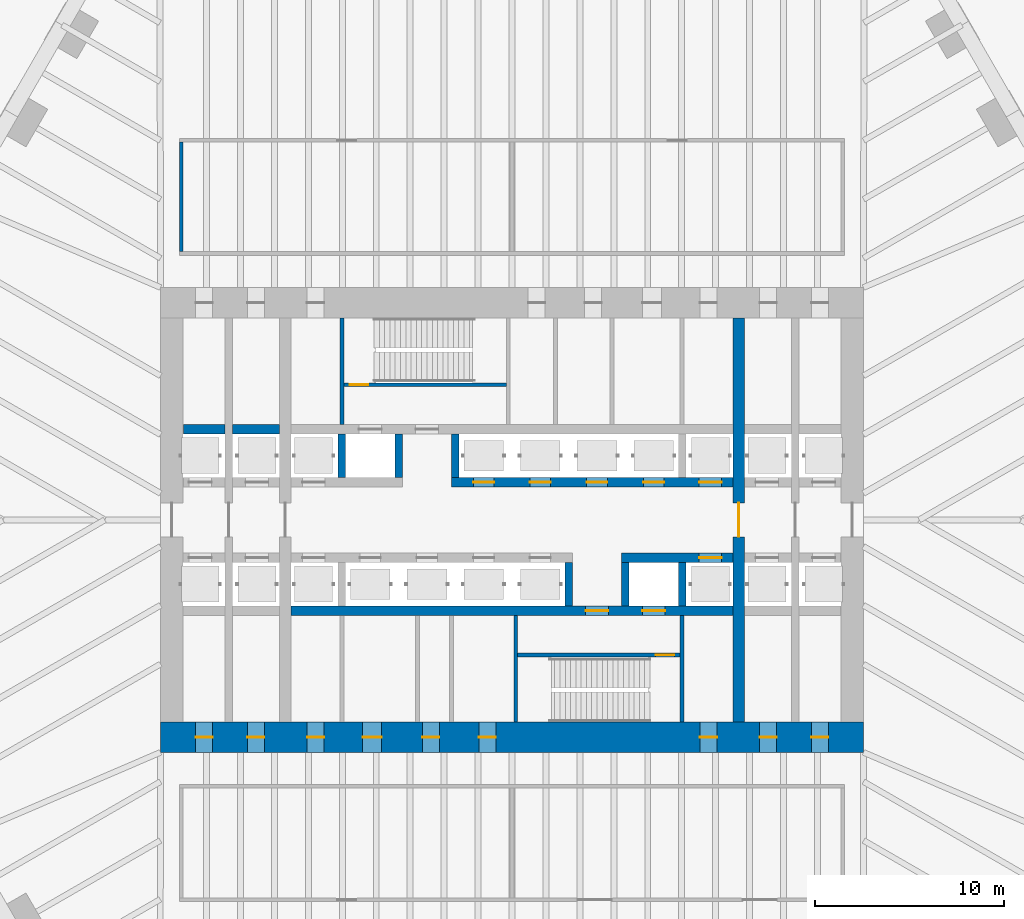
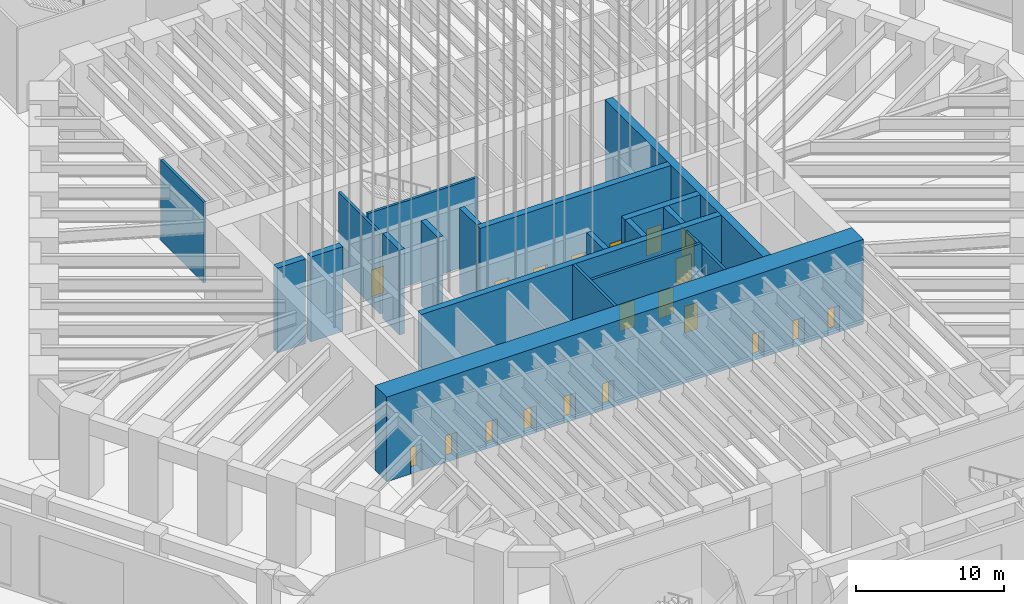
# One storey, part 7 of 23: 20 doors, 19 walls, 20 openings.
"""IFC4 building model written with IfcOpenShell, lengths in metres."""

from ifc_helpers import new_model, si_unit, direction, frame, frame_2d, origin, place, context, subcontext, project, spatial, rectangle, extrude, material, layer, layer_set, type_object, element, fill, save


model = new_model("IFC4")

# Units and contexts
model_context = context("Model", 3, precision=1e-05, world=origin(), true_north=direction((0.0, 1.0)))
body_context = subcontext(model_context, "Body", "Model", "MODEL_VIEW")
ifc_project = project(units=[si_unit("LENGTHUNIT", "METRE"), si_unit("AREAUNIT", "SQUARE_METRE"), si_unit("VOLUMEUNIT", "CUBIC_METRE"), si_unit("PLANEANGLEUNIT", "RADIAN"), si_unit("MASSUNIT", "GRAM", prefix="KILO")], contexts=[model_context])

# Site, building, storey
site_placement = place(None, origin())
site = spatial("IfcSite", under=ifc_project, at=site_placement, CompositionType="ELEMENT")
building_placement = place(site_placement, origin())
building = spatial("IfcBuilding", under=site, at=building_placement, Name="Tarfa Lantern Tower", CompositionType="ELEMENT")
storey_placement = place(building_placement, origin())
storey = spatial("IfcBuildingStorey", under=building, at=storey_placement, Name="L00", CompositionType="ELEMENT", Elevation=0.0)

# Walls
ifc_material_1 = material(Name="Concrete blockwork", Category="masonry")
ifc_layer_1 = layer(ifc_material_1, 0.199951171875)
ifc_layer_set_1 = layer_set([ifc_layer_1], Name="IW1 BLOCKWORK PARTITION 200 EI 120")
wall_type_1 = type_object("IfcWallType", Name="IW1 BLOCKWORK PARTITION 200 EI 120", PredefinedType="PARTITIONING", material=ifc_layer_set_1)
for number, where, z_axis, x_axis, name in (
    (1, (-9.0, 5.050048828125, 0.0), (0.0, 0.0, 1.0), (0.0, 1.0, 0.0), "Core partition"),
    (2, (9.0, -5.050048828125, 0.0), (0.0, 0.0, 1.0), (0.0, -1.0, 0.0), "Core partition"),
):
    element("IfcWall", number, at=place(storey_placement, frame(where, z_axis=z_axis, x_axis=x_axis)), inside=storey, type_object=wall_type_1, Name=name, PredefinedType="PARTITIONING", context=body_context, shape_type="SweptSolid", body=[
        extrude(rectangle(XDim=5.64990234375, YDim=0.199951171875, at=frame_2d((2.824951171875, 0.0))), origin(), (0.0, 0.0, 1.0), 6.64990234375),
    ])
ifc_material_2 = material(Name="Gypsum board on steel studs", Category="steel")
ifc_layer_2 = layer(ifc_material_2, 0.2099609375)
ifc_layer_set_2 = layer_set([ifc_layer_2], Name="IW2 ACOUSTIC PARTITION 200")
wall_type_2 = type_object("IfcWallType", Name="IW2 ACOUSTIC PARTITION 200", PredefinedType="PARTITIONING", material=ifc_layer_set_2)
wall_1_placement = place(storey_placement, frame((-17.5, 14.199951171875, 0.0), z_axis=(0.0, 0.0, 1.0), x_axis=(0.0, 1.0, 0.0)))
element("IfcWall", 3, at=wall_1_placement, inside=storey, type_object=wall_type_2, Name="Partition", PredefinedType="PARTITIONING", context=body_context, shape_type="SweptSolid", body=[
    extrude(rectangle(XDim=5.800048828125, YDim=0.199951171875, at=frame_2d((2.89990234375, 0.0))), origin(), (0.0, 0.0, 1.0), 6.64990234375),
])

# Wall, opening, door
ifc_material_3 = material(Name="Concrete C80/95", Category="concrete")
ifc_layer_3 = layer(ifc_material_3, 0.199951171875)
ifc_layer_set_3 = layer_set([ifc_layer_3], Name="SW12 CORE WALL 200")
wall_type_3 = type_object("IfcWallType", Name="SW12 CORE WALL 200", PredefinedType="SHEAR", material=ifc_layer_set_3)
wall_2_placement = place(storey_placement, frame((-8.89990234375, 7.14990234375, 0.0), z_axis=(0.0, 0.0, 1.0), x_axis=(1.0, 0.0, 0.0)))
wall_2 = element("IfcWall", 4, at=wall_2_placement, inside=storey, type_object=wall_type_3, Name="Core wall stair partition N", PredefinedType="SHEAR", context=body_context, shape_type="SweptSolid", body=[
    extrude(rectangle(XDim=8.599853515625, YDim=0.199951171875, at=frame_2d((4.2998046875, 0.0))), origin(), (0.0, 0.0, 1.0), 7.0),
])
opening_1_placement = place(wall_2_placement, frame((0.300048828125, 0.0, 0.0)))
opening_1 = element("IfcOpeningElement", 5, at=opening_1_placement, cuts=wall_2, Name="Opening D23", PredefinedType="OPENING", context=body_context, shape_type="SweptSolid", body=[
    extrude(rectangle(XDim=1.0, YDim=2.199951171875, at=frame_2d((0.5, 1.10009765625))), frame((0.0, 0.10986328125, 0.0), z_axis=(0.0, -1.0, 0.0), x_axis=(1.0, 0.0, 0.0)), (0.0, 0.0, 1.0), 0.219970703125),
])
ifc_material_4 = material(Name="Steel fire door", Category="steel")
door_type_1 = type_object("IfcDoorType", Name="DF2 STAIR DOOR 1000x2200", OperationType="SINGLE_SWING_LEFT", PredefinedType="DOOR", material=ifc_material_4)
door_1_placement = place(opening_1_placement, origin())
door_1 = element("IfcDoor", 6, at=door_1_placement, inside=storey, type_object=door_type_1, Name="Stair door", OperationType="SINGLE_SWING_RIGHT", OverallHeight=2.199951171875, OverallWidth=1.0, PredefinedType="DOOR", context=body_context, shape_type="SweptSolid", body=[
    extrude(rectangle(XDim=1.0, YDim=2.199951171875, at=frame_2d((0.5, 1.10009765625))), frame((0.0, 0.02490234375, 0.0), z_axis=(0.0, -1.0, 0.0), x_axis=(1.0, 0.0, 0.0)), (0.0, 0.0, 1.0), 0.050048828125),
])
fill(opening_1, door_1)

# Wall
wall_3_placement = place(storey_placement, frame((0.199951171875, -5.050048828125, 0.0), z_axis=(0.0, 0.0, 1.0), x_axis=(0.0, -1.0, 0.0)))
element("IfcWall", 7, at=wall_3_placement, inside=storey, type_object=wall_type_3, Name="Core wall stair shaft S", PredefinedType="SHEAR", context=body_context, shape_type="SweptSolid", body=[
    extrude(rectangle(XDim=5.64990234375, YDim=0.199951171875, at=frame_2d((2.824951171875, 0.0))), origin(), (0.0, 0.0, 1.0), 7.0),
])

# Wall, opening, door
wall_4_placement = place(storey_placement, frame((8.89990234375, -7.14990234375, 0.0), z_axis=(0.0, 0.0, 1.0), x_axis=(-1.0, 0.0, 0.0)))
wall_4 = element("IfcWall", 8, at=wall_4_placement, inside=storey, type_object=wall_type_3, Name="Core wall stair partition S", PredefinedType="SHEAR", context=body_context, shape_type="SweptSolid", body=[
    extrude(rectangle(XDim=8.599853515625, YDim=0.199951171875, at=frame_2d((4.2998046875, 0.0))), origin(), (0.0, 0.0, 1.0), 7.0),
])
opening_2_placement = place(wall_4_placement, frame((0.300048828125, 0.0, 0.0)))
opening_2 = element("IfcOpeningElement", 9, at=opening_2_placement, cuts=wall_4, Name="Opening D24", PredefinedType="OPENING", context=body_context, shape_type="SweptSolid", body=[
    extrude(rectangle(XDim=1.0, YDim=2.199951171875, at=frame_2d((0.5, 1.10009765625))), frame((0.0, 0.10986328125, 0.0), z_axis=(0.0, -1.0, 0.0), x_axis=(1.0, 0.0, 0.0)), (0.0, 0.0, 1.0), 0.219970703125),
])
door_2_placement = place(opening_2_placement, origin())
door_2 = element("IfcDoor", 10, at=door_2_placement, inside=storey, type_object=door_type_1, Name="Stair door", OperationType="SINGLE_SWING_RIGHT", OverallHeight=2.199951171875, OverallWidth=1.0, PredefinedType="DOOR", context=body_context, shape_type="SweptSolid", body=[
    extrude(rectangle(XDim=1.0, YDim=2.199951171875, at=frame_2d((0.5, 1.10009765625))), frame((0.0, 0.02490234375, 0.0), z_axis=(0.0, -1.0, 0.0), x_axis=(1.0, 0.0, 0.0)), (0.0, 0.0, 1.0), 0.050048828125),
])
fill(opening_2, door_2)

# Wall, openings, doors
ifc_layer_4 = layer(ifc_material_3, 0.5)
ifc_layer_set_4 = layer_set([ifc_layer_4], Name="SW5 CORE WALL 500")
wall_type_4 = type_object("IfcWallType", Name="SW5 CORE WALL 500", PredefinedType="SHEAR", material=ifc_layer_set_4)
wall_5_placement = place(storey_placement, frame((-3.199951171875, 2.0, 0.0), z_axis=(0.0, 0.0, 1.0), x_axis=(1.0, 0.0, 0.0)))
wall_5 = element("IfcWall", 11, at=wall_5_placement, inside=storey, type_object=wall_type_4, Name="Core wall lobby east N", PredefinedType="SHEAR", context=body_context, shape_type="SweptSolid", body=[
    extrude(rectangle(XDim=14.89990234375, YDim=0.5, at=frame_2d((7.449951171875, 0.0))), origin(), (0.0, 0.0, 1.0), 7.0),
])
opening_3_placement = place(wall_5_placement, frame((1.14990234375, 0.0, 0.0)))
opening_3 = element("IfcOpeningElement", 12, at=opening_3_placement, cuts=wall_5, Name="Opening LD03", PredefinedType="OPENING", context=body_context, shape_type="SweptSolid", body=[
    extrude(rectangle(XDim=1.10009765625, YDim=2.199951171875, at=frame_2d((0.550048828125, 1.10009765625))), frame((0.0, 0.260009765625, 0.0), z_axis=(0.0, -1.0, 0.0), x_axis=(1.0, 0.0, 0.0)), (0.0, 0.0, 1.0), 0.52001953125),
])
opening_4_placement = place(wall_5_placement, frame((4.14990234375, 0.0, 0.0)))
opening_4 = element("IfcOpeningElement", 13, at=opening_4_placement, cuts=wall_5, Name="Opening LD04", PredefinedType="OPENING", context=body_context, shape_type="SweptSolid", body=[
    extrude(rectangle(XDim=1.10009765625, YDim=2.199951171875, at=frame_2d((0.550048828125, 1.10009765625))), frame((0.0, 0.260009765625, 0.0), z_axis=(0.0, -1.0, 0.0), x_axis=(1.0, 0.0, 0.0)), (0.0, 0.0, 1.0), 0.52001953125),
])
opening_5_placement = place(wall_5_placement, frame((7.14990234375, 0.0, 0.0)))
opening_5 = element("IfcOpeningElement", 14, at=opening_5_placement, cuts=wall_5, Name="Opening LD05", PredefinedType="OPENING", context=body_context, shape_type="SweptSolid", body=[
    extrude(rectangle(XDim=1.10009765625, YDim=2.199951171875, at=frame_2d((0.550048828125, 1.10009765625))), frame((0.0, 0.260009765625, 0.0), z_axis=(0.0, -1.0, 0.0), x_axis=(1.0, 0.0, 0.0)), (0.0, 0.0, 1.0), 0.52001953125),
])
opening_6_placement = place(wall_5_placement, frame((10.14990234375, 0.0, 0.0)))
opening_6 = element("IfcOpeningElement", 15, at=opening_6_placement, cuts=wall_5, Name="Opening LD06", PredefinedType="OPENING", context=body_context, shape_type="SweptSolid", body=[
    extrude(rectangle(XDim=1.10009765625, YDim=2.199951171875, at=frame_2d((0.550048828125, 1.10009765625))), frame((0.0, 0.260009765625, 0.0), z_axis=(0.0, -1.0, 0.0), x_axis=(1.0, 0.0, 0.0)), (0.0, 0.0, 1.0), 0.52001953125),
])
opening_7_placement = place(wall_5_placement, frame((13.10009765625, 0.0, 0.0)))
opening_7 = element("IfcOpeningElement", 16, at=opening_7_placement, cuts=wall_5, Name="Opening LD12", PredefinedType="OPENING", context=body_context, shape_type="SweptSolid", body=[
    extrude(rectangle(XDim=1.199951171875, YDim=2.199951171875, at=frame_2d((0.60009765625, 1.10009765625))), frame((0.0, 0.260009765625, 0.0), z_axis=(0.0, -1.0, 0.0), x_axis=(1.0, 0.0, 0.0)), (0.0, 0.0, 1.0), 0.52001953125),
])
ifc_material_5 = material(Name="Stainless steel lift door", Category="steel")
door_type_2 = type_object("IfcDoorType", Name="LD1 LIFT LANDING DOOR 1200x2200", OperationType="SLIDING_TO_LEFT", PredefinedType="DOOR", material=ifc_material_5)
door_3_placement = place(opening_7_placement, frame((1.199951171875, 0.0, 0.0), z_axis=(0.0, 0.0, 1.0), x_axis=(-1.0, 0.0, 0.0)))
door_3 = element("IfcDoor", 17, at=door_3_placement, inside=storey, type_object=door_type_2, Name="Landing door S10", OperationType="SLIDING_TO_LEFT", OverallHeight=2.199951171875, OverallWidth=1.199951171875, PredefinedType="DOOR", context=body_context, shape_type="SweptSolid", body=[
    extrude(rectangle(XDim=1.199951171875, YDim=2.199951171875, at=frame_2d((0.60009765625, 1.10009765625))), frame((0.0, 0.02490234375, 0.0), z_axis=(0.0, -1.0, 0.0), x_axis=(1.0, 0.0, 0.0)), (0.0, 0.0, 1.0), 0.050048828125),
])
fill(opening_7, door_3)
door_type_3 = type_object("IfcDoorType", Name="LD2 LIFT LANDING DOOR 1100x2200", OperationType="SLIDING_TO_LEFT", PredefinedType="DOOR", material=ifc_material_5)
door_4_placement = place(opening_3_placement, frame((1.10009765625, 0.0, 0.0), z_axis=(0.0, 0.0, 1.0), x_axis=(-1.0, 0.0, 0.0)))
door_4 = element("IfcDoor", 18, at=door_4_placement, inside=storey, type_object=door_type_3, Name="Landing door PA1", OperationType="SLIDING_TO_LEFT", OverallHeight=2.199951171875, OverallWidth=1.10009765625, PredefinedType="DOOR", context=body_context, shape_type="SweptSolid", body=[
    extrude(rectangle(XDim=1.10009765625, YDim=2.199951171875, at=frame_2d((0.550048828125, 1.10009765625))), frame((0.0, 0.02490234375, 0.0), z_axis=(0.0, -1.0, 0.0), x_axis=(1.0, 0.0, 0.0)), (0.0, 0.0, 1.0), 0.050048828125),
])
fill(opening_3, door_4)
door_5_placement = place(opening_4_placement, frame((1.10009765625, 0.0, 0.0), z_axis=(0.0, 0.0, 1.0), x_axis=(-1.0, 0.0, 0.0)))
door_5 = element("IfcDoor", 19, at=door_5_placement, inside=storey, type_object=door_type_3, Name="Landing door PA2", OperationType="SLIDING_TO_LEFT", OverallHeight=2.199951171875, OverallWidth=1.10009765625, PredefinedType="DOOR", context=body_context, shape_type="SweptSolid", body=[
    extrude(rectangle(XDim=1.10009765625, YDim=2.199951171875, at=frame_2d((0.550048828125, 1.10009765625))), frame((0.0, 0.02490234375, 0.0), z_axis=(0.0, -1.0, 0.0), x_axis=(1.0, 0.0, 0.0)), (0.0, 0.0, 1.0), 0.050048828125),
])
fill(opening_4, door_5)
door_6_placement = place(opening_5_placement, frame((1.10009765625, 0.0, 0.0), z_axis=(0.0, 0.0, 1.0), x_axis=(-1.0, 0.0, 0.0)))
door_6 = element("IfcDoor", 20, at=door_6_placement, inside=storey, type_object=door_type_3, Name="Landing door PA3", OperationType="SLIDING_TO_LEFT", OverallHeight=2.199951171875, OverallWidth=1.10009765625, PredefinedType="DOOR", context=body_context, shape_type="SweptSolid", body=[
    extrude(rectangle(XDim=1.10009765625, YDim=2.199951171875, at=frame_2d((0.550048828125, 1.10009765625))), frame((0.0, 0.02490234375, 0.0), z_axis=(0.0, -1.0, 0.0), x_axis=(1.0, 0.0, 0.0)), (0.0, 0.0, 1.0), 0.050048828125),
])
fill(opening_5, door_6)
door_7_placement = place(opening_6_placement, frame((1.10009765625, 0.0, 0.0), z_axis=(0.0, 0.0, 1.0), x_axis=(-1.0, 0.0, 0.0)))
door_7 = element("IfcDoor", 21, at=door_7_placement, inside=storey, type_object=door_type_3, Name="Landing door PA4", OperationType="SLIDING_TO_LEFT", OverallHeight=2.199951171875, OverallWidth=1.10009765625, PredefinedType="DOOR", context=body_context, shape_type="SweptSolid", body=[
    extrude(rectangle(XDim=1.10009765625, YDim=2.199951171875, at=frame_2d((0.550048828125, 1.10009765625))), frame((0.0, 0.02490234375, 0.0), z_axis=(0.0, -1.0, 0.0), x_axis=(1.0, 0.0, 0.0)), (0.0, 0.0, 1.0), 0.050048828125),
])
fill(opening_6, door_7)

# Walls
wall_6_placement = place(storey_placement, frame((-17.39990234375, 4.800048828125, 0.0), z_axis=(0.0, 0.0, 1.0), x_axis=(1.0, 0.0, 0.0)))
element("IfcWall", 22, at=wall_6_placement, inside=storey, type_object=wall_type_4, Name="Core wall rear N", PredefinedType="SHEAR", context=body_context, shape_type="SweptSolid", body=[
    extrude(rectangle(XDim=2.199951171875, YDim=0.5, at=frame_2d((1.10009765625, 0.0))), origin(), (0.0, 0.0, 1.0), 7.0),
])
wall_7_placement = place(storey_placement, frame((-14.800048828125, 4.800048828125, 0.0), z_axis=(0.0, 0.0, 1.0), x_axis=(1.0, 0.0, 0.0)))
element("IfcWall", 23, at=wall_7_placement, inside=storey, type_object=wall_type_4, Name="Core wall rear N", PredefinedType="SHEAR", context=body_context, shape_type="SweptSolid", body=[
    extrude(rectangle(XDim=2.5, YDim=0.5, at=frame_2d((1.25, 0.0))), origin(), (0.0, 0.0, 1.0), 7.0),
])

# Wall, opening, door
wall_8_placement = place(storey_placement, frame((11.699951171875, -2.0, 0.0), z_axis=(0.0, 0.0, 1.0), x_axis=(-1.0, 0.0, 0.0)))
wall_8 = element("IfcWall", 24, at=wall_8_placement, inside=storey, type_object=wall_type_4, Name="Core wall lobby west S", PredefinedType="SHEAR", context=body_context, shape_type="SweptSolid", body=[
    extrude(rectangle(XDim=5.89990234375, YDim=0.5, at=frame_2d((2.949951171875, 0.0))), origin(), (0.0, 0.0, 1.0), 7.0),
])
opening_8_placement = place(wall_8_placement, frame((0.60009765625, 0.0, 0.0)))
opening_8 = element("IfcOpeningElement", 25, at=opening_8_placement, cuts=wall_8, Name="Opening LD13", PredefinedType="OPENING", context=body_context, shape_type="SweptSolid", body=[
    extrude(rectangle(XDim=1.199951171875, YDim=2.199951171875, at=frame_2d((0.60009765625, 1.10009765625))), frame((0.0, 0.260009765625, 0.0), z_axis=(0.0, -1.0, 0.0), x_axis=(1.0, 0.0, 0.0)), (0.0, 0.0, 1.0), 0.52001953125),
])
door_8_placement = place(opening_8_placement, frame((1.199951171875, 0.0, 0.0), z_axis=(0.0, 0.0, 1.0), x_axis=(-1.0, 0.0, 0.0)))
door_8 = element("IfcDoor", 26, at=door_8_placement, inside=storey, type_object=door_type_2, Name="Landing door S11", OperationType="SLIDING_TO_LEFT", OverallHeight=2.199951171875, OverallWidth=1.199951171875, PredefinedType="DOOR", context=body_context, shape_type="SweptSolid", body=[
    extrude(rectangle(XDim=1.199951171875, YDim=2.199951171875, at=frame_2d((0.60009765625, 1.10009765625))), frame((0.0, 0.02490234375, 0.0), z_axis=(0.0, -1.0, 0.0), x_axis=(1.0, 0.0, 0.0)), (0.0, 0.0, 1.0), 0.050048828125),
])
fill(opening_8, door_8)

# Wall, openings, doors
wall_9_placement = place(storey_placement, frame((11.699951171875, -4.800048828125, 0.0), z_axis=(0.0, 0.0, 1.0), x_axis=(-1.0, 0.0, 0.0)))
wall_9 = element("IfcWall", 27, at=wall_9_placement, inside=storey, type_object=wall_type_4, Name="Core wall rear S", PredefinedType="SHEAR", context=body_context, shape_type="SweptSolid", body=[
    extrude(rectangle(XDim=23.39990234375, YDim=0.5, at=frame_2d((11.699951171875, 0.0))), origin(), (0.0, 0.0, 1.0), 7.0),
])
opening_9_placement = place(wall_9_placement, frame((6.60009765625, 0.0, 0.0)))
opening_9 = element("IfcOpeningElement", 28, at=opening_9_placement, cuts=wall_9, Name="Opening D14", PredefinedType="OPENING", context=body_context, shape_type="SweptSolid", body=[
    extrude(rectangle(XDim=1.199951171875, YDim=2.199951171875, at=frame_2d((0.60009765625, 1.10009765625))), frame((0.0, 0.260009765625, 0.0), z_axis=(0.0, -1.0, 0.0), x_axis=(1.0, 0.0, 0.0)), (0.0, 0.0, 1.0), 0.52001953125),
])
opening_10_placement = place(wall_9_placement, frame((3.60009765625, 0.0, 0.0)))
opening_10 = element("IfcOpeningElement", 29, at=opening_10_placement, cuts=wall_9, Name="Opening LD02", PredefinedType="OPENING", context=body_context, shape_type="SweptSolid", body=[
    extrude(rectangle(XDim=1.199951171875, YDim=2.199951171875, at=frame_2d((0.60009765625, 1.10009765625))), frame((0.0, 0.260009765625, 0.0), z_axis=(0.0, -1.0, 0.0), x_axis=(1.0, 0.0, 0.0)), (0.0, 0.0, 1.0), 0.52001953125),
])
door_type_4 = type_object("IfcDoorType", Name="DF1 FIREFIGHTING LOBBY DOOR 1200x2200", OperationType="SINGLE_SWING_LEFT", PredefinedType="DOOR", material=ifc_material_4)
door_9_placement = place(opening_9_placement, origin())
door_9 = element("IfcDoor", 30, at=door_9_placement, inside=storey, type_object=door_type_4, Name="Firefighting lobby door", OperationType="SINGLE_SWING_LEFT", OverallHeight=2.199951171875, OverallWidth=1.199951171875, PredefinedType="DOOR", context=body_context, shape_type="SweptSolid", body=[
    extrude(rectangle(XDim=1.199951171875, YDim=2.199951171875, at=frame_2d((0.60009765625, 1.10009765625))), frame((0.0, 0.02490234375, 0.0), z_axis=(0.0, -1.0, 0.0), x_axis=(1.0, 0.0, 0.0)), (0.0, 0.0, 1.0), 0.050048828125),
])
fill(opening_9, door_9)
door_10_placement = place(opening_10_placement, origin())
door_10 = element("IfcDoor", 31, at=door_10_placement, inside=storey, type_object=door_type_2, Name="Landing door FL2", OperationType="SLIDING_TO_LEFT", OverallHeight=2.199951171875, OverallWidth=1.199951171875, PredefinedType="DOOR", context=body_context, shape_type="SweptSolid", body=[
    extrude(rectangle(XDim=1.199951171875, YDim=2.199951171875, at=frame_2d((0.60009765625, 1.10009765625))), frame((0.0, 0.02490234375, 0.0), z_axis=(0.0, -1.0, 0.0), x_axis=(1.0, 0.0, 0.0)), (0.0, 0.0, 1.0), 0.050048828125),
])
fill(opening_10, door_10)

# Walls
ifc_layer_5 = layer(ifc_material_3, 0.39990234375)
ifc_layer_set_5 = layer_set([ifc_layer_5], Name="SW6 CORE WALL 400")
wall_type_5 = type_object("IfcWallType", Name="SW6 CORE WALL 400", PredefinedType="SHEAR", material=ifc_layer_set_5)
for number, where, z_axis, x_axis, name in (
    (32, (-9.0, 2.25, 0.0), (0.0, 0.0, 1.0), (0.0, 1.0, 0.0), "Core wall divider N"),
    (33, (-6.0, 2.25, 0.0), (0.0, 0.0, 1.0), (0.0, 1.0, 0.0), "Core wall divider N"),
    (34, (-3.0, 2.25, 0.0), (0.0, 0.0, 1.0), (0.0, 1.0, 0.0), "Core wall divider N"),
    (35, (9.0, -2.25, 0.0), (0.0, 0.0, 1.0), (0.0, -1.0, 0.0), "Core wall divider S"),
    (36, (6.0, -2.25, 0.0), (0.0, 0.0, 1.0), (0.0, -1.0, 0.0), "Core wall divider S"),
    (37, (3.0, -2.25, 0.0), (0.0, 0.0, 1.0), (0.0, -1.0, 0.0), "Core wall divider S"),
):
    element("IfcWall", number, at=place(storey_placement, frame(where, z_axis=z_axis, x_axis=x_axis)), inside=storey, type_object=wall_type_5, Name=name, PredefinedType="SHEAR", context=body_context, shape_type="SweptSolid", body=[
        extrude(rectangle(XDim=2.300048828125, YDim=0.39990234375, at=frame_2d((1.14990234375, 0.0))), origin(), (0.0, 0.0, 1.0), 7.0),
    ])

# Wall, openings, doors
ifc_layer_6 = layer(ifc_material_3, 1.60009765625)
ifc_layer_set_6 = layer_set([ifc_layer_6], Name="SW7 CORE WALL 1600")
wall_type_6 = type_object("IfcWallType", Name="SW7 CORE WALL 1600", PredefinedType="SHEAR", material=ifc_layer_set_6)
wall_10_placement = place(storey_placement, frame((18.60009765625, -11.5, 0.0), z_axis=(0.0, 0.0, 1.0), x_axis=(-1.0, 0.0, 0.0)))
wall_10 = element("IfcWall", 38, at=wall_10_placement, inside=storey, type_object=wall_type_6, Name="Core wall S", PredefinedType="SHEAR", context=body_context, shape_type="SweptSolid", body=[
    extrude(rectangle(XDim=37.2001953125, YDim=1.60009765625, at=frame_2d((18.60009765625, 0.0))), origin(), (0.0, 0.0, 1.0), 7.0),
])
opening_11_placement = place(wall_10_placement, frame((19.449951171875, 0.0, 0.0)))
opening_11 = element("IfcOpeningElement", 39, at=opening_11_placement, cuts=wall_10, Name="Opening D18", PredefinedType="OPENING", context=body_context, shape_type="SweptSolid", body=[
    extrude(rectangle(XDim=0.89990234375, YDim=2.199951171875, at=frame_2d((0.449951171875, 1.10009765625))), frame((0.0, 0.81005859375, 0.0), z_axis=(0.0, -1.0, 0.0), x_axis=(1.0, 0.0, 0.0)), (0.0, 0.0, 1.0), 1.6201171875),
])
opening_12_placement = place(wall_10_placement, frame((22.449951171875, 0.0, 0.0)))
opening_12 = element("IfcOpeningElement", 40, at=opening_12_placement, cuts=wall_10, Name="Opening D20", PredefinedType="OPENING", context=body_context, shape_type="SweptSolid", body=[
    extrude(rectangle(XDim=0.89990234375, YDim=2.199951171875, at=frame_2d((0.449951171875, 1.10009765625))), frame((0.0, 0.81005859375, 0.0), z_axis=(0.0, -1.0, 0.0), x_axis=(1.0, 0.0, 0.0)), (0.0, 0.0, 1.0), 1.6201171875),
])
opening_13_placement = place(wall_10_placement, frame((25.5, 0.0, 0.0)))
opening_13 = element("IfcOpeningElement", 41, at=opening_13_placement, cuts=wall_10, Name="Opening D22", PredefinedType="OPENING", context=body_context, shape_type="SweptSolid", body=[
    extrude(rectangle(XDim=1.0, YDim=2.199951171875, at=frame_2d((0.5, 1.10009765625))), frame((0.0, 0.81005859375, 0.0), z_axis=(0.0, -1.0, 0.0), x_axis=(1.0, 0.0, 0.0)), (0.0, 0.0, 1.0), 1.6201171875),
])
opening_14_placement = place(wall_10_placement, frame((1.85009765625, 0.0, 0.0)))
opening_14 = element("IfcOpeningElement", 42, at=opening_14_placement, cuts=wall_10, Name="Opening D12", PredefinedType="OPENING", context=body_context, shape_type="SweptSolid", body=[
    extrude(rectangle(XDim=0.89990234375, YDim=2.199951171875, at=frame_2d((0.449951171875, 1.10009765625))), frame((0.0, 0.81005859375, 0.0), z_axis=(0.0, -1.0, 0.0), x_axis=(1.0, 0.0, 0.0)), (0.0, 0.0, 1.0), 1.6201171875),
])
opening_15_placement = place(wall_10_placement, frame((4.60009765625, 0.0, 0.0)))
opening_15 = element("IfcOpeningElement", 43, at=opening_15_placement, cuts=wall_10, Name="Opening D08", PredefinedType="OPENING", context=body_context, shape_type="SweptSolid", body=[
    extrude(rectangle(XDim=0.89990234375, YDim=2.199951171875, at=frame_2d((0.449951171875, 1.10009765625))), frame((0.0, 0.81005859375, 0.0), z_axis=(0.0, -1.0, 0.0), x_axis=(1.0, 0.0, 0.0)), (0.0, 0.0, 1.0), 1.6201171875),
])
opening_16_placement = place(wall_10_placement, frame((7.75, 0.0, 0.0)))
opening_16 = element("IfcOpeningElement", 44, at=opening_16_placement, cuts=wall_10, Name="Opening D10", PredefinedType="OPENING", context=body_context, shape_type="SweptSolid", body=[
    extrude(rectangle(XDim=0.89990234375, YDim=2.199951171875, at=frame_2d((0.449951171875, 1.10009765625))), frame((0.0, 0.81005859375, 0.0), z_axis=(0.0, -1.0, 0.0), x_axis=(1.0, 0.0, 0.0)), (0.0, 0.0, 1.0), 1.6201171875),
])
opening_17_placement = place(wall_10_placement, frame((28.550048828125, 0.0, 0.0)))
opening_17 = element("IfcOpeningElement", 45, at=opening_17_placement, cuts=wall_10, Name="Opening D06", PredefinedType="OPENING", context=body_context, shape_type="SweptSolid", body=[
    extrude(rectangle(XDim=0.89990234375, YDim=2.199951171875, at=frame_2d((0.449951171875, 1.10009765625))), frame((0.0, 0.81005859375, 0.0), z_axis=(0.0, -1.0, 0.0), x_axis=(1.0, 0.0, 0.0)), (0.0, 0.0, 1.0), 1.6201171875),
])
opening_18_placement = place(wall_10_placement, frame((31.699951171875, 0.0, 0.0)))
opening_18 = element("IfcOpeningElement", 46, at=opening_18_placement, cuts=wall_10, Name="Opening D02", PredefinedType="OPENING", context=body_context, shape_type="SweptSolid", body=[
    extrude(rectangle(XDim=0.89990234375, YDim=2.199951171875, at=frame_2d((0.449951171875, 1.10009765625))), frame((0.0, 0.81005859375, 0.0), z_axis=(0.0, -1.0, 0.0), x_axis=(1.0, 0.0, 0.0)), (0.0, 0.0, 1.0), 1.6201171875),
])
opening_19_placement = place(wall_10_placement, frame((34.449951171875, 0.0, 0.0)))
opening_19 = element("IfcOpeningElement", 47, at=opening_19_placement, cuts=wall_10, Name="Opening D04", PredefinedType="OPENING", context=body_context, shape_type="SweptSolid", body=[
    extrude(rectangle(XDim=0.89990234375, YDim=2.199951171875, at=frame_2d((0.449951171875, 1.10009765625))), frame((0.0, 0.81005859375, 0.0), z_axis=(0.0, -1.0, 0.0), x_axis=(1.0, 0.0, 0.0)), (0.0, 0.0, 1.0), 1.6201171875),
])
door_type_5 = type_object("IfcDoorType", Name="DF3 CORE ROOM DOOR 900x2200", OperationType="SINGLE_SWING_LEFT", PredefinedType="DOOR", material=ifc_material_4)
door_11_placement = place(opening_11_placement, frame((0.89990234375, 0.0, 0.0), z_axis=(0.0, 0.0, 1.0), x_axis=(-1.0, 0.0, 0.0)))
door_11 = element("IfcDoor", 48, at=door_11_placement, inside=storey, type_object=door_type_5, Name="Core door", OperationType="SINGLE_SWING_LEFT", OverallHeight=2.199951171875, OverallWidth=0.89990234375, PredefinedType="DOOR", context=body_context, shape_type="SweptSolid", body=[
    extrude(rectangle(XDim=0.89990234375, YDim=2.199951171875, at=frame_2d((0.449951171875, 1.10009765625))), frame((0.0, 0.02490234375, 0.0), z_axis=(0.0, -1.0, 0.0), x_axis=(1.0, 0.0, 0.0)), (0.0, 0.0, 1.0), 0.050048828125),
])
fill(opening_11, door_11)
door_12_placement = place(opening_12_placement, frame((0.89990234375, 0.0, 0.0), z_axis=(0.0, 0.0, 1.0), x_axis=(-1.0, 0.0, 0.0)))
door_12 = element("IfcDoor", 49, at=door_12_placement, inside=storey, type_object=door_type_5, Name="Core door", OperationType="SINGLE_SWING_RIGHT", OverallHeight=2.199951171875, OverallWidth=0.89990234375, PredefinedType="DOOR", context=body_context, shape_type="SweptSolid", body=[
    extrude(rectangle(XDim=0.89990234375, YDim=2.199951171875, at=frame_2d((0.449951171875, 1.10009765625))), frame((0.0, 0.02490234375, 0.0), z_axis=(0.0, -1.0, 0.0), x_axis=(1.0, 0.0, 0.0)), (0.0, 0.0, 1.0), 0.050048828125),
])
fill(opening_12, door_12)
door_type_6 = type_object("IfcDoorType", Name="DF4 CORE ROOM DOOR 1000x2200", OperationType="SINGLE_SWING_LEFT", PredefinedType="DOOR", material=ifc_material_4)
door_13_placement = place(opening_13_placement, frame((1.0, 0.0, 0.0), z_axis=(0.0, 0.0, 1.0), x_axis=(-1.0, 0.0, 0.0)))
door_13 = element("IfcDoor", 50, at=door_13_placement, inside=storey, type_object=door_type_6, Name="Core door", OperationType="SINGLE_SWING_RIGHT", OverallHeight=2.199951171875, OverallWidth=1.0, PredefinedType="DOOR", context=body_context, shape_type="SweptSolid", body=[
    extrude(rectangle(XDim=1.0, YDim=2.199951171875, at=frame_2d((0.5, 1.10009765625))), frame((0.0, 0.02490234375, 0.0), z_axis=(0.0, -1.0, 0.0), x_axis=(1.0, 0.0, 0.0)), (0.0, 0.0, 1.0), 0.050048828125),
])
fill(opening_13, door_13)
door_type_7 = type_object("IfcDoorType", Name="DF5 RISER DOOR 900x2200", OperationType="SINGLE_SWING_LEFT", PredefinedType="DOOR", material=ifc_material_4)
door_14_placement = place(opening_14_placement, frame((0.89990234375, 0.0, 0.0), z_axis=(0.0, 0.0, 1.0), x_axis=(-1.0, 0.0, 0.0)))
door_14 = element("IfcDoor", 51, at=door_14_placement, inside=storey, type_object=door_type_7, Name="Riser door", OperationType="SINGLE_SWING_LEFT", OverallHeight=2.199951171875, OverallWidth=0.89990234375, PredefinedType="DOOR", context=body_context, shape_type="SweptSolid", body=[
    extrude(rectangle(XDim=0.89990234375, YDim=2.199951171875, at=frame_2d((0.449951171875, 1.10009765625))), frame((0.0, 0.02490234375, 0.0), z_axis=(0.0, -1.0, 0.0), x_axis=(1.0, 0.0, 0.0)), (0.0, 0.0, 1.0), 0.050048828125),
])
fill(opening_14, door_14)
door_15_placement = place(opening_15_placement, frame((0.89990234375, 0.0, 0.0), z_axis=(0.0, 0.0, 1.0), x_axis=(-1.0, 0.0, 0.0)))
door_15 = element("IfcDoor", 52, at=door_15_placement, inside=storey, type_object=door_type_7, Name="Riser door", OperationType="SINGLE_SWING_LEFT", OverallHeight=2.199951171875, OverallWidth=0.89990234375, PredefinedType="DOOR", context=body_context, shape_type="SweptSolid", body=[
    extrude(rectangle(XDim=0.89990234375, YDim=2.199951171875, at=frame_2d((0.449951171875, 1.10009765625))), frame((0.0, 0.02490234375, 0.0), z_axis=(0.0, -1.0, 0.0), x_axis=(1.0, 0.0, 0.0)), (0.0, 0.0, 1.0), 0.050048828125),
])
fill(opening_15, door_15)
door_16_placement = place(opening_16_placement, frame((0.89990234375, 0.0, 0.0), z_axis=(0.0, 0.0, 1.0), x_axis=(-1.0, 0.0, 0.0)))
door_16 = element("IfcDoor", 53, at=door_16_placement, inside=storey, type_object=door_type_7, Name="Riser door", OperationType="SINGLE_SWING_LEFT", OverallHeight=2.199951171875, OverallWidth=0.89990234375, PredefinedType="DOOR", context=body_context, shape_type="SweptSolid", body=[
    extrude(rectangle(XDim=0.89990234375, YDim=2.199951171875, at=frame_2d((0.449951171875, 1.10009765625))), frame((0.0, 0.02490234375, 0.0), z_axis=(0.0, -1.0, 0.0), x_axis=(1.0, 0.0, 0.0)), (0.0, 0.0, 1.0), 0.050048828125),
])
fill(opening_16, door_16)
door_17_placement = place(opening_17_placement, frame((0.89990234375, 0.0, 0.0), z_axis=(0.0, 0.0, 1.0), x_axis=(-1.0, 0.0, 0.0)))
door_17 = element("IfcDoor", 54, at=door_17_placement, inside=storey, type_object=door_type_7, Name="Riser door", OperationType="SINGLE_SWING_RIGHT", OverallHeight=2.199951171875, OverallWidth=0.89990234375, PredefinedType="DOOR", context=body_context, shape_type="SweptSolid", body=[
    extrude(rectangle(XDim=0.89990234375, YDim=2.199951171875, at=frame_2d((0.449951171875, 1.10009765625))), frame((0.0, 0.02490234375, 0.0), z_axis=(0.0, -1.0, 0.0), x_axis=(1.0, 0.0, 0.0)), (0.0, 0.0, 1.0), 0.050048828125),
])
fill(opening_17, door_17)
door_18_placement = place(opening_18_placement, frame((0.89990234375, 0.0, 0.0), z_axis=(0.0, 0.0, 1.0), x_axis=(-1.0, 0.0, 0.0)))
door_18 = element("IfcDoor", 55, at=door_18_placement, inside=storey, type_object=door_type_7, Name="Riser door", OperationType="SINGLE_SWING_RIGHT", OverallHeight=2.199951171875, OverallWidth=0.89990234375, PredefinedType="DOOR", context=body_context, shape_type="SweptSolid", body=[
    extrude(rectangle(XDim=0.89990234375, YDim=2.199951171875, at=frame_2d((0.449951171875, 1.10009765625))), frame((0.0, 0.02490234375, 0.0), z_axis=(0.0, -1.0, 0.0), x_axis=(1.0, 0.0, 0.0)), (0.0, 0.0, 1.0), 0.050048828125),
])
fill(opening_18, door_18)
door_19_placement = place(opening_19_placement, frame((0.89990234375, 0.0, 0.0), z_axis=(0.0, 0.0, 1.0), x_axis=(-1.0, 0.0, 0.0)))
door_19 = element("IfcDoor", 56, at=door_19_placement, inside=storey, type_object=door_type_7, Name="Riser door", OperationType="SINGLE_SWING_RIGHT", OverallHeight=2.199951171875, OverallWidth=0.89990234375, PredefinedType="DOOR", context=body_context, shape_type="SweptSolid", body=[
    extrude(rectangle(XDim=0.89990234375, YDim=2.199951171875, at=frame_2d((0.449951171875, 1.10009765625))), frame((0.0, 0.02490234375, 0.0), z_axis=(0.0, -1.0, 0.0), x_axis=(1.0, 0.0, 0.0)), (0.0, 0.0, 1.0), 0.050048828125),
])
fill(opening_19, door_19)

# Wall, opening, door
ifc_layer_7 = layer(ifc_material_3, 0.60009765625)
ifc_layer_set_7 = layer_set([ifc_layer_7], Name="SW9 CORE WALL 600")
wall_type_7 = type_object("IfcWallType", Name="SW9 CORE WALL 600", PredefinedType="SHEAR", material=ifc_layer_set_7)
wall_11_placement = place(storey_placement, frame((12.0, -10.699951171875, 0.0), z_axis=(0.0, 0.0, 1.0), x_axis=(0.0, 1.0, 0.0)))
wall_11 = element("IfcWall", 57, at=wall_11_placement, inside=storey, type_object=wall_type_7, Name="Core wall cross 12 m east", PredefinedType="SHEAR", context=body_context, shape_type="SweptSolid", body=[
    extrude(rectangle(XDim=21.39990234375, YDim=0.60009765625, at=frame_2d((10.699951171875, 0.0))), origin(), (0.0, 0.0, 1.0), 7.0),
])
opening_20_placement = place(wall_11_placement, frame((9.800048828125, 0.0, 0.0)))
opening_20 = element("IfcOpeningElement", 58, at=opening_20_placement, cuts=wall_11, Name="Opening D25", PredefinedType="OPENING", context=body_context, shape_type="SweptSolid", body=[
    extrude(rectangle(XDim=1.800048828125, YDim=2.39990234375, at=frame_2d((0.89990234375, 1.199951171875))), frame((0.0, 0.31005859375, 0.0), z_axis=(0.0, -1.0, 0.0), x_axis=(1.0, 0.0, 0.0)), (0.0, 0.0, 1.0), 0.6201171875),
])
door_type_8 = type_object("IfcDoorType", Name="DL1 LOBBY DOOR 1800x2400", OperationType="DOUBLE_DOOR_SINGLE_SWING", PredefinedType="DOOR", material=ifc_material_4)
door_20_placement = place(opening_20_placement, origin())
door_20 = element("IfcDoor", 59, at=door_20_placement, inside=storey, type_object=door_type_8, Name="Lift lobby door", OperationType="DOUBLE_DOOR_SINGLE_SWING", OverallHeight=2.39990234375, OverallWidth=1.800048828125, PredefinedType="DOOR", context=body_context, shape_type="SweptSolid", body=[
    extrude(rectangle(XDim=1.800048828125, YDim=2.39990234375, at=frame_2d((0.89990234375, 1.199951171875))), frame((0.0, 0.02490234375, 0.0), z_axis=(0.0, -1.0, 0.0), x_axis=(1.0, 0.0, 0.0)), (0.0, 0.0, 1.0), 0.050048828125),
])
fill(opening_20, door_20)

save(model, "model.ifc")
